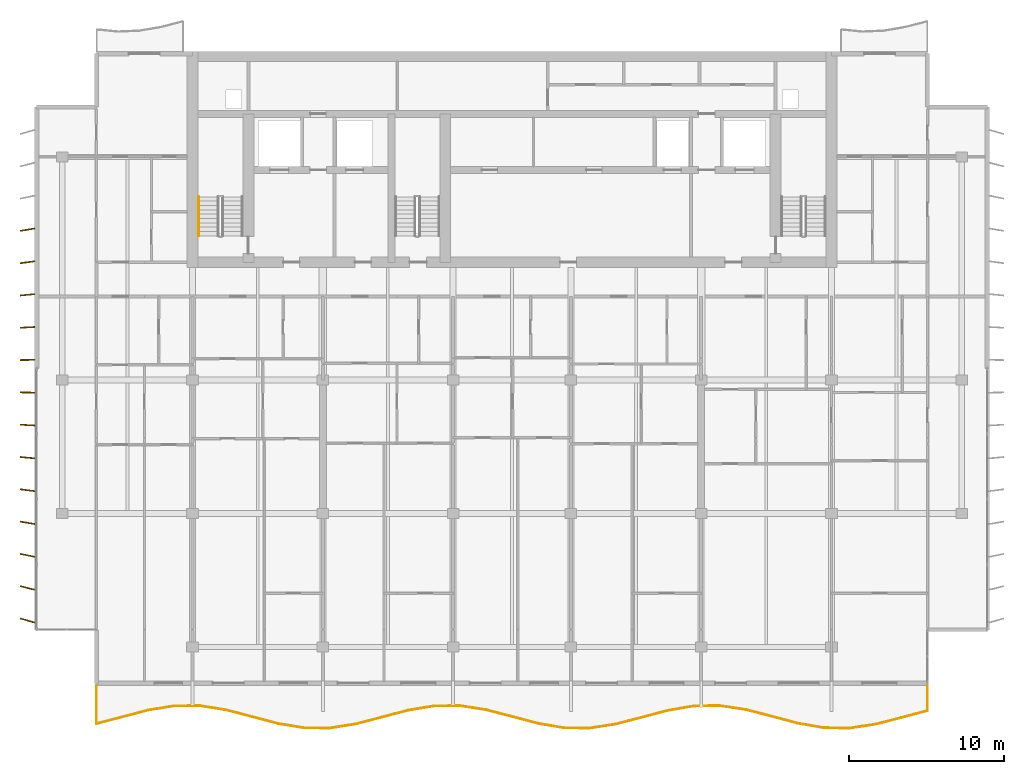
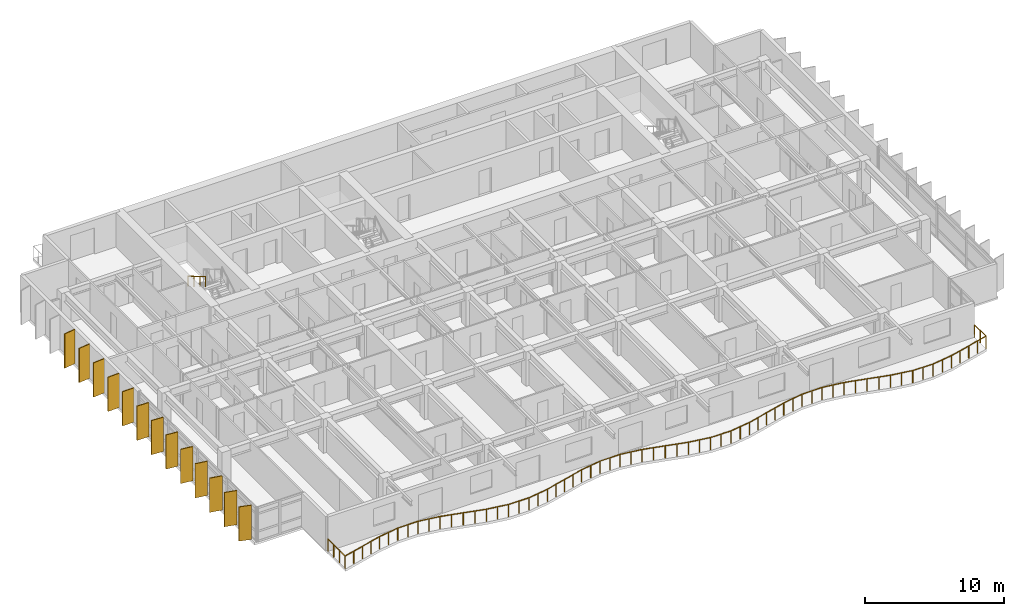
# One storey, part 12 of 16: 13 shading devices, 2 railings.
"""IFC4 building model written with IfcOpenShell, lengths in metres."""

from ifc_helpers import new_model, si_unit, direction, frame, origin, origin_2d, place, context, subcontext, project, spatial, rectangle, circle, extrude, material, material_profile, profile_set, type_object, element, save


model = new_model("IFC4")

# Units and contexts
model_context = context("Model", 3, precision=1e-05, world=origin(), true_north=direction((0.0, 1.0)))
body_context = subcontext(model_context, "Body", "Model", "MODEL_VIEW")
ifc_project = project(units=[si_unit("LENGTHUNIT", "METRE"), si_unit("AREAUNIT", "SQUARE_METRE"), si_unit("VOLUMEUNIT", "CUBIC_METRE"), si_unit("PLANEANGLEUNIT", "RADIAN"), si_unit("MASSUNIT", "GRAM", prefix="KILO")], contexts=[model_context])

# Site, building, storey
site_placement = place(None, origin())
site = spatial("IfcSite", under=ifc_project, at=site_placement, CompositionType="ELEMENT")
building_placement = place(site_placement, origin())
building = spatial("IfcBuilding", under=site, at=building_placement, Name="Caelmar Bay Residences", CompositionType="ELEMENT")
storey_placement = place(building_placement, frame((0.0, 0.0, 266.10009765625)))
storey = spatial("IfcBuildingStorey", under=building, at=storey_placement, Name="L75", CompositionType="ELEMENT", Elevation=266.10009765625)

# Railings
ifc_material_1 = material(Name="Anodised bronze handrail with laminated hurricane glass infill", Category="glass")
railing_type_1 = type_object("IfcRailingType", Name="RL-BAL-1100", PredefinedType="BALUSTRADE", material=ifc_material_1)
railing_1_placement = place(storey_placement, frame((12.10009765625, 9.699951171875, 0.0)))
element("IfcRailing", 1, at=railing_1_placement, inside=storey, type_object=railing_type_1, Name="L75 south Balcony Balustrade", PredefinedType="BALUSTRADE", context=body_context, shape_type="SweptSolid", body=[
    extrude(circle(Radius=0.02392578125, at=origin_2d()), frame((0.0, 0.0, 1.076171875), z_axis=(0.0, -1.0, 0.0), x_axis=(1.0, 0.0, 0.0)), (0.0, 0.0, 1.0), 2.460693359375),
    extrude(circle(Radius=0.02392578125, at=origin_2d()), frame((0.0, -2.460693359375, 1.076171875), z_axis=(0.967256930125, 0.253799194493, 0.0), x_axis=(-0.253799194493, 0.967256930125, 0.0)), (0.0, 0.0, 1.0), 1.7314453125),
    extrude(circle(Radius=0.02392578125, at=origin_2d()), frame((1.6748046875, -2.021240234375, 1.076171875), z_axis=(0.967196770145, 0.254028360268, 0.0), x_axis=(-0.254028360268, 0.967196770145, 0.0)), (0.0, 0.0, 1.0), 1.73193359375),
    extrude(circle(Radius=0.02392578125, at=origin_2d()), frame((3.349853515625, -1.581298828125, 1.076171875), z_axis=(0.986936615289, 0.161109023338, 0.0), x_axis=(-0.161109023338, 0.986936615289, 0.0)), (0.0, 0.0, 1.0), 1.697265625),
    extrude(circle(Radius=0.02392578125, at=origin_2d()), frame((5.02490234375, -1.307861328125, 1.076171875), z_axis=(0.999998470475, 0.001749013503, 0.0), x_axis=(-0.001749013503, 0.999998470475, 0.0)), (0.0, 0.0, 1.0), 1.675048828125),
    extrude(circle(Radius=0.02392578125, at=origin_2d()), frame((6.699951171875, -1.304931640625, 1.076171875), z_axis=(0.987390290757, -0.158304812685, 0.0), x_axis=(0.158304812685, 0.987390290757, 0.0)), (0.0, 0.0, 1.0), 1.696533203125),
    extrude(circle(Radius=0.02392578125, at=origin_2d()), frame((8.375, -1.573486328125, 1.076171875), z_axis=(0.967464333736, -0.253007436548, 0.0), x_axis=(0.253007436548, 0.967464333736, 0.0)), (0.0, 0.0, 1.0), 1.731201171875),
    extrude(circle(Radius=0.02392578125, at=origin_2d()), frame((10.0498046875, -2.011474609375, 1.076171875), z_axis=(0.966988676914, -0.254819345264, 0.0), x_axis=(0.254819345264, 0.966988676914, 0.0)), (0.0, 0.0, 1.0), 1.732177734375),
    extrude(circle(Radius=0.02392578125, at=origin_2d()), frame((11.724853515625, -2.452880859375, 1.076171875), z_axis=(0.986614558633, -0.163069655953, 0.0), x_axis=(0.163069655953, 0.986614558633, 0.0)), (0.0, 0.0, 1.0), 1.69775390625),
    extrude(circle(Radius=0.02392578125, at=origin_2d()), frame((13.39990234375, -2.729736328125, 1.076171875), z_axis=(0.999990440582, -0.004372498647, 0.0), x_axis=(0.004372498647, 0.999990440582, 0.0)), (0.0, 0.0, 1.0), 1.675048828125),
    extrude(circle(Radius=0.02392578125, at=origin_2d()), frame((15.074951171875, -2.737060546875, 1.076171875), z_axis=(0.987725584611, 0.156199134135, 0.0), x_axis=(-0.156199134135, 0.987725584611, 0.0)), (0.0, 0.0, 1.0), 1.69580078125),
    extrude(circle(Radius=0.02392578125, at=origin_2d()), frame((16.75, -2.47216796875, 1.076171875), z_axis=(0.967636742586, 0.252347249634, 0.0), x_axis=(-0.252347249634, 0.967636742586, 0.0)), (0.0, 0.0, 1.0), 1.730712890625),
    extrude(circle(Radius=0.02392578125, at=origin_2d()), frame((18.4248046875, -2.035400390625, 1.076171875), z_axis=(0.966814840506, 0.255478108998, 0.0), x_axis=(-0.255478108998, 0.966814840506, 0.0)), (0.0, 0.0, 1.0), 1.732421875),
    extrude(circle(Radius=0.02392578125, at=origin_2d()), frame((20.099853515625, -1.5927734375, 1.076171875), z_axis=(0.986288822241, 0.165028358539, 0.0), x_axis=(-0.165028358539, 0.986288822241, 0.0)), (0.0, 0.0, 1.0), 1.6982421875),
    extrude(circle(Radius=0.02392578125, at=origin_2d()), frame((21.77490234375, -1.3125, 1.076171875), z_axis=(0.999975528438, 0.006995893509, 0.0), x_axis=(-0.006995893509, 0.999975528438, 0.0)), (0.0, 0.0, 1.0), 1.675048828125),
    extrude(circle(Radius=0.02392578125, at=origin_2d()), frame((23.449951171875, -1.30078125, 1.076171875), z_axis=(0.98803467442, -0.154231910262, 0.0), x_axis=(0.154231910262, 0.98803467442, 0.0)), (0.0, 0.0, 1.0), 1.6953125),
    extrude(circle(Radius=0.02392578125, at=origin_2d()), frame((25.125, -1.562255859375, 1.076171875), z_axis=(0.967843119183, -0.251554559986, 0.0), x_axis=(0.251554559986, 0.967843119183, 0.0)), (0.0, 0.0, 1.0), 1.73046875),
    extrude(circle(Radius=0.02392578125, at=origin_2d()), frame((26.7998046875, -1.99755859375, 1.076171875), z_axis=(0.966675493447, -0.256004863955, 0.0), x_axis=(0.256004863955, 0.966675493447, 0.0)), (0.0, 0.0, 1.0), 1.73291015625),
    extrude(circle(Radius=0.02392578125, at=origin_2d()), frame((28.474853515625, -2.441162109375, 1.076171875), z_axis=(0.985935748475, -0.167124803305, 0.0), x_axis=(0.167124803305, 0.985935748475, 0.0)), (0.0, 0.0, 1.0), 1.698974609375),
    extrude(circle(Radius=0.02392578125, at=origin_2d()), frame((30.14990234375, -2.72509765625, 1.076171875), z_axis=(0.999955126221, -0.009473412506, 0.0), x_axis=(0.009473412506, 0.999955126221, 0.0)), (0.0, 0.0, 1.0), 1.675048828125),
    extrude(circle(Radius=0.02392578125, at=origin_2d()), frame((31.824951171875, -2.740966796875, 1.076171875), z_axis=(0.988361703259, 0.152122133602, 0.0), x_axis=(-0.152122133602, 0.988361703259, 0.0)), (0.0, 0.0, 1.0), 1.69482421875),
    extrude(circle(Radius=0.02392578125, at=origin_2d()), frame((33.5, -2.483154296875, 1.076171875), z_axis=(0.968048933905, 0.250761363783, 0.0), x_axis=(-0.250761363783, 0.968048933905, 0.0)), (0.0, 0.0, 1.0), 1.72998046875),
    extrude(circle(Radius=0.02392578125, at=origin_2d()), frame((35.1748046875, -2.04931640625, 1.076171875), z_axis=(0.96650096279, 0.256662987058, 0.0), x_axis=(-0.256662987058, 0.96650096279, 0.0)), (0.0, 0.0, 1.0), 1.733154296875),
    extrude(circle(Radius=0.02392578125, at=origin_2d()), frame((36.849853515625, -1.6044921875, 1.076171875), z_axis=(0.985602425984, 0.169079442557, 0.0), x_axis=(-0.169079442557, 0.985602425984, 0.0)), (0.0, 0.0, 1.0), 1.699462890625),
    extrude(circle(Radius=0.02392578125, at=origin_2d()), frame((38.52490234375, -1.317138671875, 1.076171875), z_axis=(0.999926834948, 0.012096476796, 0.0), x_axis=(-0.012096476796, 0.999926834948, 0.0)), (0.0, 0.0, 1.0), 1.67529296875),
    extrude(circle(Radius=0.02392578125, at=origin_2d()), frame((40.199951171875, -1.296875, 1.076171875), z_axis=(0.9886630559, -0.150151130192, 0.0), x_axis=(0.150151130192, 0.9886630559, 0.0)), (0.0, 0.0, 1.0), 1.6943359375),
    extrude(circle(Radius=0.02392578125, at=origin_2d()), frame((41.875, -1.55126953125, 1.076171875), z_axis=(0.968288339346, -0.24983532954, 0.0), x_axis=(0.24983532954, 0.968288339346, 0.0)), (0.0, 0.0, 1.0), 1.729736328125),
    extrude(circle(Radius=0.02392578125, at=origin_2d()), frame((43.5498046875, -1.9833984375, 1.076171875), z_axis=(0.966291018229, -0.257452263711, 0.0), x_axis=(0.257452263711, 0.966291018229, 0.0)), (0.0, 0.0, 1.0), 1.7333984375),
    extrude(circle(Radius=0.02392578125, at=origin_2d()), frame((45.224853515625, -2.4296875, 1.076171875), z_axis=(0.985289648633, -0.17089268064, 0.0), x_axis=(0.17089268064, 0.985289648633, 0.0)), (0.0, 0.0, 1.0), 1.699951171875),
    extrude(circle(Radius=0.02392578125, at=origin_2d()), frame((46.89990234375, -2.72021484375, 1.076171875), z_axis=(0.999891665362, -0.014719291386, 0.0), x_axis=(0.014719291386, 0.999891665362, 0.0)), (0.0, 0.0, 1.0), 1.67529296875),
    extrude(circle(Radius=0.02392578125, at=origin_2d()), frame((48.574951171875, -2.744873046875, 1.076171875), z_axis=(0.988981770383, 0.148037352891, 0.0), x_axis=(-0.148037352891, 0.988981770383, 0.0)), (0.0, 0.0, 1.0), 1.693603515625),
    extrude(circle(Radius=0.02392578125, at=origin_2d()), frame((50.25, -2.494140625, 1.076171875), z_axis=(0.968492932597, 0.249041039811, 0.0), x_axis=(-0.249041039811, 0.968492932597, 0.0)), (0.0, 0.0, 1.0), 1.729248046875),
    extrude(circle(Radius=0.02392578125, at=origin_2d()), frame((51.9248046875, -2.0634765625, 1.076171875), z_axis=(0.966150748003, 0.257978162125, 0.0), x_axis=(-0.257978162125, 0.966150748003, 0.0)), (0.0, 0.0, 1.0), 1.733642578125),
    extrude(circle(Radius=0.02392578125, at=origin_2d()), frame((53.599853515625, -1.6162109375, 1.076171875), z_axis=(0.0, 1.0, 0.0), x_axis=(-1.0, 0.0, 0.0)), (0.0, 0.0, 1.0), 1.6162109375),
    extrude(circle(Radius=0.02099609375, at=origin_2d()), origin(), (0.0, 0.0, 1.0), 1.052001953125),
    extrude(circle(Radius=0.02099609375, at=origin_2d()), frame((0.0, -0.8203125, 0.0)), (0.0, 0.0, 1.0), 1.052001953125),
    extrude(circle(Radius=0.02099609375, at=origin_2d()), frame((0.0, -1.640380859375, 0.0)), (0.0, 0.0, 1.0), 1.052001953125),
    extrude(circle(Radius=0.02099609375, at=origin_2d()), frame((0.0, -2.460693359375, 0.0)), (0.0, 0.0, 1.0), 1.052001953125),
    extrude(circle(Radius=0.02099609375, at=origin_2d()), frame((0.83740234375, -2.240966796875, 0.0)), (0.0, 0.0, 1.0), 1.052001953125),
    extrude(circle(Radius=0.02099609375, at=origin_2d()), frame((1.6748046875, -2.021240234375, 0.0)), (0.0, 0.0, 1.0), 1.052001953125),
    extrude(circle(Radius=0.02099609375, at=origin_2d()), frame((2.51220703125, -1.80126953125, 0.0)), (0.0, 0.0, 1.0), 1.052001953125),
    extrude(circle(Radius=0.02099609375, at=origin_2d()), frame((3.349853515625, -1.581298828125, 0.0)), (0.0, 0.0, 1.0), 1.052001953125),
    extrude(circle(Radius=0.02099609375, at=origin_2d()), frame((4.1875, -1.444580078125, 0.0)), (0.0, 0.0, 1.0), 1.052001953125),
    extrude(circle(Radius=0.02099609375, at=origin_2d()), frame((5.02490234375, -1.307861328125, 0.0)), (0.0, 0.0, 1.0), 1.052001953125),
    extrude(circle(Radius=0.02099609375, at=origin_2d()), frame((5.8623046875, -1.306396484375, 0.0)), (0.0, 0.0, 1.0), 1.052001953125),
    extrude(circle(Radius=0.02099609375, at=origin_2d()), frame((6.699951171875, -1.304931640625, 0.0)), (0.0, 0.0, 1.0), 1.052001953125),
    extrude(circle(Radius=0.02099609375, at=origin_2d()), frame((7.53759765625, -1.439208984375, 0.0)), (0.0, 0.0, 1.0), 1.052001953125),
    extrude(circle(Radius=0.02099609375, at=origin_2d()), frame((8.375, -1.573486328125, 0.0)), (0.0, 0.0, 1.0), 1.052001953125),
    extrude(circle(Radius=0.02099609375, at=origin_2d()), frame((9.21240234375, -1.79248046875, 0.0)), (0.0, 0.0, 1.0), 1.052001953125),
    extrude(circle(Radius=0.02099609375, at=origin_2d()), frame((10.0498046875, -2.011474609375, 0.0)), (0.0, 0.0, 1.0), 1.052001953125),
    extrude(circle(Radius=0.02099609375, at=origin_2d()), frame((10.88720703125, -2.232177734375, 0.0)), (0.0, 0.0, 1.0), 1.052001953125),
    extrude(circle(Radius=0.02099609375, at=origin_2d()), frame((11.724853515625, -2.452880859375, 0.0)), (0.0, 0.0, 1.0), 1.052001953125),
    extrude(circle(Radius=0.02099609375, at=origin_2d()), frame((12.5625, -2.59130859375, 0.0)), (0.0, 0.0, 1.0), 1.052001953125),
    extrude(circle(Radius=0.02099609375, at=origin_2d()), frame((13.39990234375, -2.729736328125, 0.0)), (0.0, 0.0, 1.0), 1.052001953125),
    extrude(circle(Radius=0.02099609375, at=origin_2d()), frame((14.2373046875, -2.7333984375, 0.0)), (0.0, 0.0, 1.0), 1.052001953125),
    extrude(circle(Radius=0.02099609375, at=origin_2d()), frame((15.074951171875, -2.737060546875, 0.0)), (0.0, 0.0, 1.0), 1.052001953125),
    extrude(circle(Radius=0.02099609375, at=origin_2d()), frame((15.91259765625, -2.6044921875, 0.0)), (0.0, 0.0, 1.0), 1.052001953125),
    extrude(circle(Radius=0.02099609375, at=origin_2d()), frame((16.75, -2.47216796875, 0.0)), (0.0, 0.0, 1.0), 1.052001953125),
    extrude(circle(Radius=0.02099609375, at=origin_2d()), frame((17.58740234375, -2.25390625, 0.0)), (0.0, 0.0, 1.0), 1.052001953125),
    extrude(circle(Radius=0.02099609375, at=origin_2d()), frame((18.4248046875, -2.035400390625, 0.0)), (0.0, 0.0, 1.0), 1.052001953125),
    extrude(circle(Radius=0.02099609375, at=origin_2d()), frame((19.26220703125, -1.81396484375, 0.0)), (0.0, 0.0, 1.0), 1.052001953125),
    extrude(circle(Radius=0.02099609375, at=origin_2d()), frame((20.099853515625, -1.5927734375, 0.0)), (0.0, 0.0, 1.0), 1.052001953125),
    extrude(circle(Radius=0.02099609375, at=origin_2d()), frame((20.9375, -1.45263671875, 0.0)), (0.0, 0.0, 1.0), 1.052001953125),
    extrude(circle(Radius=0.02099609375, at=origin_2d()), frame((21.77490234375, -1.3125, 0.0)), (0.0, 0.0, 1.0), 1.052001953125),
    extrude(circle(Radius=0.02099609375, at=origin_2d()), frame((22.6123046875, -1.306640625, 0.0)), (0.0, 0.0, 1.0), 1.052001953125),
    extrude(circle(Radius=0.02099609375, at=origin_2d()), frame((23.449951171875, -1.30078125, 0.0)), (0.0, 0.0, 1.0), 1.052001953125),
    extrude(circle(Radius=0.02099609375, at=origin_2d()), frame((24.28759765625, -1.431640625, 0.0)), (0.0, 0.0, 1.0), 1.052001953125),
    extrude(circle(Radius=0.02099609375, at=origin_2d()), frame((25.125, -1.562255859375, 0.0)), (0.0, 0.0, 1.0), 1.052001953125),
    extrude(circle(Radius=0.02099609375, at=origin_2d()), frame((25.96240234375, -1.77978515625, 0.0)), (0.0, 0.0, 1.0), 1.052001953125),
    extrude(circle(Radius=0.02099609375, at=origin_2d()), frame((26.7998046875, -1.99755859375, 0.0)), (0.0, 0.0, 1.0), 1.052001953125),
    extrude(circle(Radius=0.02099609375, at=origin_2d()), frame((27.63720703125, -2.21923828125, 0.0)), (0.0, 0.0, 1.0), 1.052001953125),
    extrude(circle(Radius=0.02099609375, at=origin_2d()), frame((28.474853515625, -2.441162109375, 0.0)), (0.0, 0.0, 1.0), 1.052001953125),
    extrude(circle(Radius=0.02099609375, at=origin_2d()), frame((29.3125, -2.5830078125, 0.0)), (0.0, 0.0, 1.0), 1.052001953125),
    extrude(circle(Radius=0.02099609375, at=origin_2d()), frame((30.14990234375, -2.72509765625, 0.0)), (0.0, 0.0, 1.0), 1.052001953125),
    extrude(circle(Radius=0.02099609375, at=origin_2d()), frame((30.9873046875, -2.73291015625, 0.0)), (0.0, 0.0, 1.0), 1.052001953125),
    extrude(circle(Radius=0.02099609375, at=origin_2d()), frame((31.824951171875, -2.740966796875, 0.0)), (0.0, 0.0, 1.0), 1.052001953125),
    extrude(circle(Radius=0.02099609375, at=origin_2d()), frame((32.66259765625, -2.612060546875, 0.0)), (0.0, 0.0, 1.0), 1.052001953125),
    extrude(circle(Radius=0.02099609375, at=origin_2d()), frame((33.5, -2.483154296875, 0.0)), (0.0, 0.0, 1.0), 1.052001953125),
    extrude(circle(Radius=0.02099609375, at=origin_2d()), frame((34.33740234375, -2.26611328125, 0.0)), (0.0, 0.0, 1.0), 1.052001953125),
    extrude(circle(Radius=0.02099609375, at=origin_2d()), frame((35.1748046875, -2.04931640625, 0.0)), (0.0, 0.0, 1.0), 1.052001953125),
    extrude(circle(Radius=0.02099609375, at=origin_2d()), frame((36.01220703125, -1.826904296875, 0.0)), (0.0, 0.0, 1.0), 1.052001953125),
    extrude(circle(Radius=0.02099609375, at=origin_2d()), frame((36.849853515625, -1.6044921875, 0.0)), (0.0, 0.0, 1.0), 1.052001953125),
    extrude(circle(Radius=0.02099609375, at=origin_2d()), frame((37.6875, -1.4609375, 0.0)), (0.0, 0.0, 1.0), 1.052001953125),
    extrude(circle(Radius=0.02099609375, at=origin_2d()), frame((38.52490234375, -1.317138671875, 0.0)), (0.0, 0.0, 1.0), 1.052001953125),
    extrude(circle(Radius=0.02099609375, at=origin_2d()), frame((39.3623046875, -1.30712890625, 0.0)), (0.0, 0.0, 1.0), 1.052001953125),
    extrude(circle(Radius=0.02099609375, at=origin_2d()), frame((40.199951171875, -1.296875, 0.0)), (0.0, 0.0, 1.0), 1.052001953125),
    extrude(circle(Radius=0.02099609375, at=origin_2d()), frame((41.03759765625, -1.424072265625, 0.0)), (0.0, 0.0, 1.0), 1.052001953125),
    extrude(circle(Radius=0.02099609375, at=origin_2d()), frame((41.875, -1.55126953125, 0.0)), (0.0, 0.0, 1.0), 1.052001953125),
    extrude(circle(Radius=0.02099609375, at=origin_2d()), frame((42.71240234375, -1.767333984375, 0.0)), (0.0, 0.0, 1.0), 1.052001953125),
    extrude(circle(Radius=0.02099609375, at=origin_2d()), frame((43.5498046875, -1.9833984375, 0.0)), (0.0, 0.0, 1.0), 1.052001953125),
    extrude(circle(Radius=0.02099609375, at=origin_2d()), frame((44.38720703125, -2.20654296875, 0.0)), (0.0, 0.0, 1.0), 1.052001953125),
    extrude(circle(Radius=0.02099609375, at=origin_2d()), frame((45.224853515625, -2.4296875, 0.0)), (0.0, 0.0, 1.0), 1.052001953125),
    extrude(circle(Radius=0.02099609375, at=origin_2d()), frame((46.0625, -2.574951171875, 0.0)), (0.0, 0.0, 1.0), 1.052001953125),
    extrude(circle(Radius=0.02099609375, at=origin_2d()), frame((46.89990234375, -2.72021484375, 0.0)), (0.0, 0.0, 1.0), 1.052001953125),
    extrude(circle(Radius=0.02099609375, at=origin_2d()), frame((47.7373046875, -2.732421875, 0.0)), (0.0, 0.0, 1.0), 1.052001953125),
    extrude(circle(Radius=0.02099609375, at=origin_2d()), frame((48.574951171875, -2.744873046875, 0.0)), (0.0, 0.0, 1.0), 1.052001953125),
    extrude(circle(Radius=0.02099609375, at=origin_2d()), frame((49.41259765625, -2.61962890625, 0.0)), (0.0, 0.0, 1.0), 1.052001953125),
    extrude(circle(Radius=0.02099609375, at=origin_2d()), frame((50.25, -2.494140625, 0.0)), (0.0, 0.0, 1.0), 1.052001953125),
    extrude(circle(Radius=0.02099609375, at=origin_2d()), frame((51.08740234375, -2.27880859375, 0.0)), (0.0, 0.0, 1.0), 1.052001953125),
    extrude(circle(Radius=0.02099609375, at=origin_2d()), frame((51.9248046875, -2.0634765625, 0.0)), (0.0, 0.0, 1.0), 1.052001953125),
    extrude(circle(Radius=0.02099609375, at=origin_2d()), frame((52.76220703125, -1.83984375, 0.0)), (0.0, 0.0, 1.0), 1.052001953125),
    extrude(circle(Radius=0.02099609375, at=origin_2d()), frame((53.599853515625, -1.6162109375, 0.0)), (0.0, 0.0, 1.0), 1.052001953125),
    extrude(circle(Radius=0.02099609375, at=origin_2d()), frame((53.599853515625, -0.80810546875, 0.0)), (0.0, 0.0, 1.0), 1.052001953125),
    extrude(circle(Radius=0.02099609375, at=origin_2d()), frame((53.599853515625, 0.0, 0.0)), (0.0, 0.0, 1.0), 1.052001953125),
])
ifc_material_2 = material(Name="Brushed bronze stainless-steel tubular handrail 900 mm", Category="steel")
railing_type_2 = type_object("IfcRailingType", Name="RL-HND-900", PredefinedType="HANDRAIL", material=ifc_material_2)
railing_2_placement = place(storey_placement, frame((18.699951171875, 41.219970703125, 1.81494140625)))
element("IfcRailing", 2, at=railing_2_placement, inside=storey, type_object=railing_type_2, Name="L75 ST1 stair handrail 2", PredefinedType="HANDRAIL", context=body_context, shape_type="SweptSolid", body=[
    extrude(circle(Radius=0.02392578125, at=origin_2d()), frame((0.0, 0.0, 0.8759765625), z_axis=(0.0, -0.861560626758, 0.507654692109), x_axis=(1.0, 0.0, 0.0)), (0.0, 0.0, 1.0), 2.925048828125),
    extrude(circle(Radius=0.02099609375, at=origin_2d()), origin(), (0.0, 0.0, 1.0), 0.851806640625),
    extrude(circle(Radius=0.02099609375, at=origin_2d()), frame((0.0, -0.840087890625, 0.494873046875)), (0.0, 0.0, 1.0), 0.851806640625),
    extrude(circle(Radius=0.02099609375, at=origin_2d()), frame((0.0, -1.679931640625, 0.989990234375)), (0.0, 0.0, 1.0), 0.851806640625),
    extrude(circle(Radius=0.02099609375, at=origin_2d()), frame((0.0, -2.52001953125, 1.48486328125)), (0.0, 0.0, 1.0), 0.851806640625),
])

# Shading devices
ifc_material_3 = material(Name="Anodised architectural bronze aluminium 6063-T6", Category="aluminium")
ifc_material_profile = material_profile(ifc_material_3, rectangle(XDim=0.074951171875, YDim=0.949951171875, at=origin_2d()), Name="BRONZE-FIN-75X950")
ifc_profile_set = profile_set([ifc_material_profile], Name="Anodised architectural bronze aluminium 6063-T6")
shading_device_type = type_object("IfcShadingDeviceType", Name="SHD-FIN-950", PredefinedType="USERDEFINED", material=ifc_profile_set)
for number, where, z_axis, x_axis, name in (
    (3, (7.64990234375, 13.89990234375, 0.0), (0.0, 0.0, 1.0), (0.275637355817, 0.961261695938, 0.0), "L75 West Bronze Solar Fin 1"),
    (4, (7.64990234375, 16.0, 0.0), (0.0, 0.0, 1.0), (0.239719743609, 0.970842131618, 0.0), "L75 West Bronze Solar Fin 2"),
    (5, (7.64990234375, 18.10009765625, 0.0), (0.0, 0.0, 1.0), (0.2032999874, 0.979116497217, 0.0), "L75 West Bronze Solar Fin 3"),
    (6, (7.64990234375, 20.199951171875, 0.0), (0.0, 0.0, 1.0), (0.166768746716, 0.985996037071, 0.0), "L75 West Bronze Solar Fin 4"),
    (7, (7.64990234375, 22.300048828125, 0.0), (0.0, 0.0, 1.0), (0.130007055036, 0.99151306882, 0.0), "L75 West Bronze Solar Fin 5"),
    (8, (7.64990234375, 24.39990234375, 0.0), (0.0, 0.0, 1.0), (0.092891934994, 0.995676196569, 0.0), "L75 West Bronze Solar Fin 6"),
    (9, (7.64990234375, 26.5, 0.0), (0.0, 0.0, 1.0), (0.055821504993, 0.998440764182, 0.0), "L75 West Bronze Solar Fin 7"),
    (10, (7.64990234375, 28.60009765625, 0.0), (0.0, 0.0, 1.0), (0.018673937509, 0.999825626826, 0.0), "L75 West Bronze Solar Fin 8"),
    (11, (7.64990234375, 30.699951171875, 0.0), (0.0, 0.0, 1.0), (-0.018673937509, 0.999825626826, 0.0), "L75 West Bronze Solar Fin 9"),
    (12, (7.64990234375, 32.800048828125, 0.0), (0.0, 0.0, 1.0), (-0.055821504993, 0.998440764182, 0.0), "L75 West Bronze Solar Fin 10"),
    (13, (7.64990234375, 34.89990234375, 0.0), (0.0, 0.0, 1.0), (-0.092891934994, 0.995676196569, 0.0), "L75 West Bronze Solar Fin 11"),
    (14, (7.64990234375, 37.0, 0.0), (0.0, 0.0, 1.0), (-0.130007055036, 0.99151306882, 0.0), "L75 West Bronze Solar Fin 12"),
    (15, (7.64990234375, 39.10009765625, 0.0), (0.0, 0.0, 1.0), (-0.166768746716, 0.985996037071, 0.0), "L75 West Bronze Solar Fin 13"),
):
    element("IfcShadingDevice", number, at=place(storey_placement, frame(where, z_axis=z_axis, x_axis=x_axis)), inside=storey, type_object=shading_device_type, Name=name, ObjectType="FIN", PredefinedType="USERDEFINED", context=body_context, shape_type="SweptSolid", body=[
        extrude(rectangle(XDim=0.074951171875, YDim=0.949951171875, at=origin_2d()), origin(), (0.0, 0.0, 1.0), 3.0),
    ])

save(model, "model.ifc")
